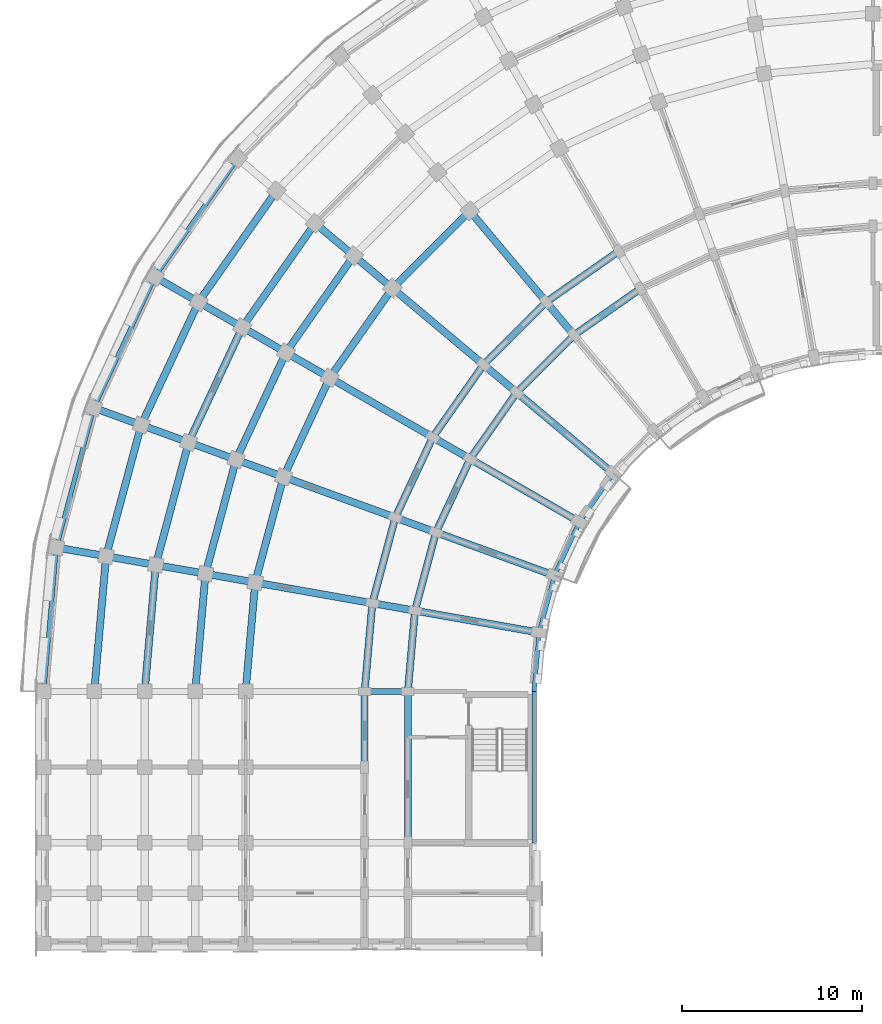
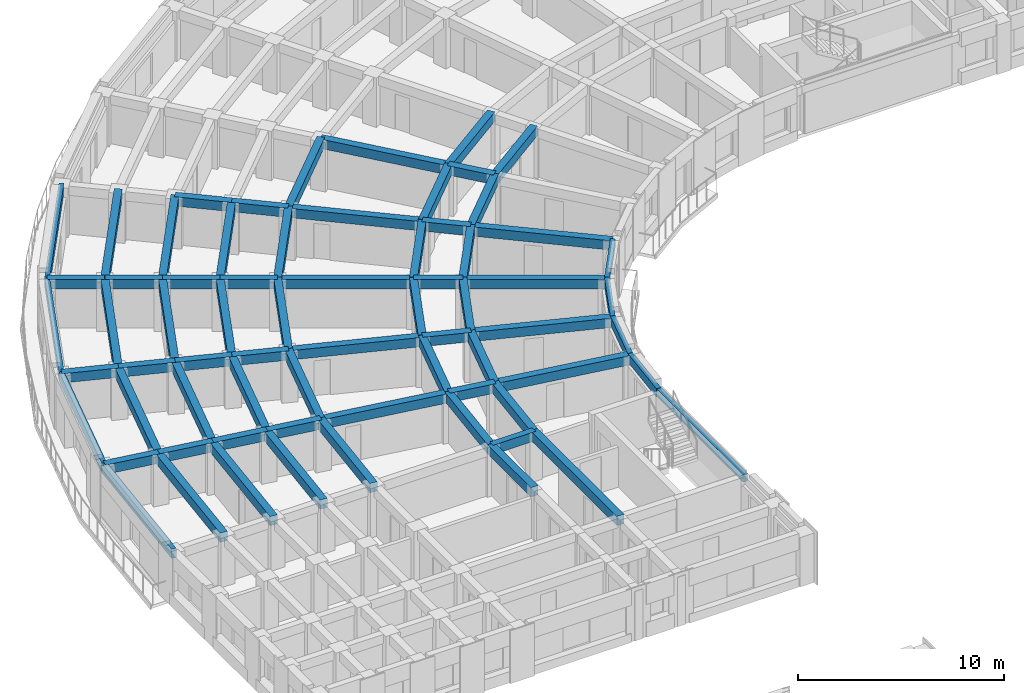
# One storey, part 7 of 54: 69 beams.
"""IFC4 building model written with IfcOpenShell, lengths in metres."""

from ifc_helpers import new_model, si_unit, direction, frame, origin, origin_2d, place, context, subcontext, project, spatial, rectangle, extrude, material, material_profile, profile_set, type_object, element, save


model = new_model("IFC4")

# Units and contexts
model_context = context("Model", 3, precision=1e-05, world=origin(), true_north=direction((0.0, 1.0)))
body_context = subcontext(model_context, "Body", "Model", "MODEL_VIEW")
ifc_project = project(units=[si_unit("LENGTHUNIT", "METRE"), si_unit("AREAUNIT", "SQUARE_METRE"), si_unit("VOLUMEUNIT", "CUBIC_METRE"), si_unit("PLANEANGLEUNIT", "RADIAN"), si_unit("MASSUNIT", "GRAM", prefix="KILO")], contexts=[model_context])

# Site, building, storey
site_placement = place(None, origin())
site = spatial("IfcSite", under=ifc_project, at=site_placement, CompositionType="ELEMENT")
building_placement = place(site_placement, origin())
building = spatial("IfcBuilding", under=site, at=building_placement, Name="Kiranvali Square Residences", CompositionType="ELEMENT")
storey_placement = place(building_placement, frame((0.0, 0.0, 11.85009765625)))
storey = spatial("IfcBuildingStorey", under=building, at=storey_placement, Name="L03", CompositionType="ELEMENT", Elevation=11.85009765625)

# Beams
ifc_material_1 = material(Name="Concrete M40 (40 MPa)", Category="concrete")
ifc_material_profile_1 = material_profile(ifc_material_1, rectangle(XDim=0.35009765625, YDim=0.550048828125, at=origin_2d()), Name="RC 350x550")
ifc_profile_set_1 = profile_set([ifc_material_profile_1], Name="Concrete M40 (40 MPa)")
beam_type_1 = type_object("IfcBeamType", Name="BM-M40-350x550", PredefinedType="BEAM", material=ifc_profile_set_1)
beam_1_placement = place(storey_placement, frame((22.39990234375, 87.800048828125, 2.65478515625), z_axis=(-1.0, 0.0, 0.0), x_axis=(0.0, -1.0, 0.0)))
element("IfcBeam", 1, at=beam_1_placement, inside=storey, type_object=beam_type_1, Name="L03 beam BM-A-L03-A2T0-12", PredefinedType="BEAM", context=body_context, shape_type="SweptSolid", body=[
    extrude(rectangle(XDim=0.35009765625, YDim=0.550048828125, at=origin_2d()), origin(), (0.0, 0.0, 1.0), 2.39990234375),
])
ifc_material_2 = material(Name="Concrete M45 (45 MPa)", Category="concrete")
ifc_material_profile_2 = material_profile(ifc_material_2, rectangle(XDim=0.39990234375, YDim=0.550048828125, at=origin_2d()), Name="RC 400x550")
ifc_profile_set_2 = profile_set([ifc_material_profile_2], Name="Concrete M45 (45 MPa)")
beam_type_2 = type_object("IfcBeamType", Name="BM-M45-400x550", PredefinedType="BEAM", material=ifc_profile_set_2)
beam_2_placement = place(storey_placement, frame((35.300048828125, 110.1435546875, 2.65478515625), z_axis=(-0.819155404658, -0.573571637217, 0.0), x_axis=(0.573571637217, -0.819155404658, 0.0)))
element("IfcBeam", 2, at=beam_2_placement, inside=storey, type_object=beam_type_2, Name="L03 beam BM-A-L03-C03-R1", PredefinedType="BEAM", context=body_context, shape_type="SweptSolid", body=[
    extrude(rectangle(XDim=0.39990234375, YDim=0.550048828125, at=origin_2d()), origin(), (0.0, 0.0, 1.0), 4.497314453125),
])
beam_3_placement = place(storey_placement, frame((34.10009765625, 112.221923828125, 2.65478515625), z_axis=(-0.819140911474, -0.573592335331, 0.0), x_axis=(0.573592335331, -0.819140911474, 0.0)))
element("IfcBeam", 3, at=beam_3_placement, inside=storey, type_object=beam_type_2, Name="L03 beam BM-A-L03-C03-R2", PredefinedType="BEAM", context=body_context, shape_type="SweptSolid", body=[
    extrude(rectangle(XDim=0.39990234375, YDim=0.550048828125, at=origin_2d()), origin(), (0.0, 0.0, 1.0), 4.915771484375),
])
beam_4_placement = place(storey_placement, frame((31.615966796875, 107.56396484375, 2.65478515625), z_axis=(-0.707106781187, -0.707106781187, 0.0), x_axis=(0.707106781187, -0.707106781187, 0.0)))
element("IfcBeam", 4, at=beam_4_placement, inside=storey, type_object=beam_type_2, Name="L03 beam BM-A-L03-C04-R1", PredefinedType="BEAM", context=body_context, shape_type="SweptSolid", body=[
    extrude(rectangle(XDim=0.39990234375, YDim=0.550048828125, at=origin_2d()), origin(), (0.0, 0.0, 1.0), 4.4970703125),
])
beam_5_placement = place(storey_placement, frame((30.073486328125, 109.40234375, 2.65478515625), z_axis=(-0.707106781187, -0.707106781187, 0.0), x_axis=(0.707106781187, -0.707106781187, 0.0)))
element("IfcBeam", 5, at=beam_5_placement, inside=storey, type_object=beam_type_2, Name="L03 beam BM-A-L03-C04-R2", PredefinedType="BEAM", context=body_context, shape_type="SweptSolid", body=[
    extrude(rectangle(XDim=0.39990234375, YDim=0.550048828125, at=origin_2d()), origin(), (0.0, 0.0, 1.0), 4.91552734375),
])
beam_6_placement = place(storey_placement, frame((25.8310546875, 114.458251953125, 2.65478515625), z_axis=(-0.707106781187, -0.707106781187, 0.0), x_axis=(0.707106781187, -0.707106781187, 0.0)))
element("IfcBeam", 6, at=beam_6_placement, inside=storey, type_object=beam_type_2, Name="L03 beam BM-A-L03-C04-R3", PredefinedType="BEAM", context=body_context, shape_type="SweptSolid", body=[
    extrude(rectangle(XDim=0.39990234375, YDim=0.550048828125, at=origin_2d()), origin(), (0.0, 0.0, 1.0), 6.06591796875),
])
beam_7_placement = place(storey_placement, frame((28.43603515625, 104.384033203125, 2.65478515625), z_axis=(-0.573571637217, -0.819155404658, 0.0), x_axis=(0.819155404658, -0.573571637217, 0.0)))
element("IfcBeam", 7, at=beam_7_placement, inside=storey, type_object=beam_type_2, Name="L03 beam BM-A-L03-C05-R1", PredefinedType="BEAM", context=body_context, shape_type="SweptSolid", body=[
    extrude(rectangle(XDim=0.39990234375, YDim=0.550048828125, at=origin_2d()), origin(), (0.0, 0.0, 1.0), 4.497314453125),
])
beam_8_placement = place(storey_placement, frame((26.59765625, 105.926513671875, 2.65478515625), z_axis=(-0.573592335331, -0.819140911474, 0.0), x_axis=(0.819140911474, -0.573592335331, 0.0)))
element("IfcBeam", 8, at=beam_8_placement, inside=storey, type_object=beam_type_2, Name="L03 beam BM-A-L03-C05-R2", PredefinedType="BEAM", context=body_context, shape_type="SweptSolid", body=[
    extrude(rectangle(XDim=0.39990234375, YDim=0.550048828125, at=origin_2d()), origin(), (0.0, 0.0, 1.0), 4.915771484375),
])
beam_9_placement = place(storey_placement, frame((21.541748046875, 110.1689453125, 2.65478515625), z_axis=(-0.573594691504, -0.81913926159, 0.0), x_axis=(0.81913926159, -0.573594691504, 0.0)))
element("IfcBeam", 9, at=beam_9_placement, inside=storey, type_object=beam_type_2, Name="L03 beam BM-A-L03-C05-R3", PredefinedType="BEAM", context=body_context, shape_type="SweptSolid", body=[
    extrude(rectangle(XDim=0.39990234375, YDim=0.550048828125, at=origin_2d()), origin(), (0.0, 0.0, 1.0), 6.066162109375),
])
beam_10_placement = place(storey_placement, frame((19.396728515625, 111.96875, 2.65478515625), z_axis=(-0.573587340268, -0.819144409176, 0.0), x_axis=(0.819144409176, -0.573587340268, 0.0)))
element("IfcBeam", 10, at=beam_10_placement, inside=storey, type_object=beam_type_2, Name="L03 beam BM-A-L03-C05-R4", PredefinedType="BEAM", context=body_context, shape_type="SweptSolid", body=[
    extrude(rectangle(XDim=0.39990234375, YDim=0.550048828125, at=origin_2d()), origin(), (0.0, 0.0, 1.0), 6.553955078125),
])
beam_11_placement = place(storey_placement, frame((17.251708984375, 113.7685546875, 2.65478515625), z_axis=(-0.57356471828, -0.819160249246, 0.0), x_axis=(0.819160249246, -0.57356471828, 0.0)))
element("IfcBeam", 11, at=beam_11_placement, inside=storey, type_object=beam_type_2, Name="L03 beam BM-A-L03-C05-R5", PredefinedType="BEAM", context=body_context, shape_type="SweptSolid", body=[
    extrude(rectangle(XDim=0.39990234375, YDim=0.550048828125, at=origin_2d()), origin(), (0.0, 0.0, 1.0), 7.0419921875),
])
beam_12_placement = place(storey_placement, frame((15.10693359375, 115.568359375, 2.65478515625), z_axis=(-0.573588539275, -0.819143569597, 0.0), x_axis=(0.819143569597, -0.573588539275, 0.0)))
element("IfcBeam", 12, at=beam_12_placement, inside=storey, type_object=beam_type_2, Name="L03 beam BM-A-L03-C05-R6", PredefinedType="BEAM", context=body_context, shape_type="SweptSolid", body=[
    extrude(rectangle(XDim=0.39990234375, YDim=0.550048828125, at=origin_2d()), origin(), (0.0, 0.0, 1.0), 7.5302734375),
])
beam_13_placement = place(storey_placement, frame((25.8564453125, 100.699951171875, 2.65478515625), z_axis=(-0.422617978463, -0.906307919131, 0.0), x_axis=(0.906307919131, -0.422617978463, 0.0)))
element("IfcBeam", 13, at=beam_13_placement, inside=storey, type_object=beam_type_2, Name="L03 beam BM-A-L03-C06-R1", PredefinedType="BEAM", context=body_context, shape_type="SweptSolid", body=[
    extrude(rectangle(XDim=0.39990234375, YDim=0.550048828125, at=origin_2d()), origin(), (0.0, 0.0, 1.0), 4.497314453125),
])
beam_14_placement = place(storey_placement, frame((23.778076171875, 101.89990234375, 2.65478515625), z_axis=(-0.422629854778, -0.906302381024, 0.0), x_axis=(0.906302381024, -0.422629854778, 0.0)))
element("IfcBeam", 14, at=beam_14_placement, inside=storey, type_object=beam_type_2, Name="L03 beam BM-A-L03-C06-R2", PredefinedType="BEAM", context=body_context, shape_type="SweptSolid", body=[
    extrude(rectangle(XDim=0.39990234375, YDim=0.550048828125, at=origin_2d()), origin(), (0.0, 0.0, 1.0), 4.915283203125),
])
beam_15_placement = place(storey_placement, frame((18.062255859375, 105.199951171875, 2.65478515625), z_axis=(-0.42260781991, -0.906312656069, 0.0), x_axis=(0.906312656069, -0.42260781991, 0.0)))
element("IfcBeam", 15, at=beam_15_placement, inside=storey, type_object=beam_type_2, Name="L03 beam BM-A-L03-C06-R3", PredefinedType="BEAM", context=body_context, shape_type="SweptSolid", body=[
    extrude(rectangle(XDim=0.39990234375, YDim=0.550048828125, at=origin_2d()), origin(), (0.0, 0.0, 1.0), 6.06591796875),
])
beam_16_placement = place(storey_placement, frame((15.637451171875, 106.60009765625, 2.65478515625), z_axis=(-0.422595876255, -0.906318225223, 0.0), x_axis=(0.906318225223, -0.422595876255, 0.0)))
element("IfcBeam", 16, at=beam_16_placement, inside=storey, type_object=beam_type_2, Name="L03 beam BM-A-L03-C06-R4", PredefinedType="BEAM", context=body_context, shape_type="SweptSolid", body=[
    extrude(rectangle(XDim=0.39990234375, YDim=0.550048828125, at=origin_2d()), origin(), (0.0, 0.0, 1.0), 6.55419921875),
])
beam_17_placement = place(storey_placement, frame((13.212646484375, 108.0, 2.65478515625), z_axis=(-0.422640621205, -0.906297360311, 0.0), x_axis=(0.906297360311, -0.422640621205, 0.0)))
element("IfcBeam", 17, at=beam_17_placement, inside=storey, type_object=beam_type_2, Name="L03 beam BM-A-L03-C06-R5", PredefinedType="BEAM", context=body_context, shape_type="SweptSolid", body=[
    extrude(rectangle(XDim=0.39990234375, YDim=0.550048828125, at=origin_2d()), origin(), (0.0, 0.0, 1.0), 7.042236328125),
])
beam_18_placement = place(storey_placement, frame((10.78759765625, 109.39990234375, 2.65478515625), z_axis=(-0.422613886933, -0.90630982703, 0.0), x_axis=(0.90630982703, -0.422613886933, 0.0)))
element("IfcBeam", 18, at=beam_18_placement, inside=storey, type_object=beam_type_2, Name="L03 beam BM-A-L03-C06-R6", PredefinedType="BEAM", context=body_context, shape_type="SweptSolid", body=[
    extrude(rectangle(XDim=0.39990234375, YDim=0.550048828125, at=origin_2d()), origin(), (0.0, 0.0, 1.0), 7.5302734375),
])
beam_19_placement = place(storey_placement, frame((23.955810546875, 96.6240234375, 2.65478515625), z_axis=(-0.258787642463, -0.965934240054, 0.0), x_axis=(0.965934240054, -0.258787642463, 0.0)))
element("IfcBeam", 19, at=beam_19_placement, inside=storey, type_object=beam_type_2, Name="L03 beam BM-A-L03-C07-R1", PredefinedType="BEAM", context=body_context, shape_type="SweptSolid", body=[
    extrude(rectangle(XDim=0.39990234375, YDim=0.550048828125, at=origin_2d()), origin(), (0.0, 0.0, 1.0), 4.497314453125),
])
beam_20_placement = place(storey_placement, frame((21.70068359375, 97.445068359375, 2.65478515625), z_axis=(-0.258803112091, -0.965930095386, 0.0), x_axis=(0.965930095386, -0.258803112091, 0.0)))
element("IfcBeam", 20, at=beam_20_placement, inside=storey, type_object=beam_type_2, Name="L03 beam BM-A-L03-C07-R2", PredefinedType="BEAM", context=body_context, shape_type="SweptSolid", body=[
    extrude(rectangle(XDim=0.39990234375, YDim=0.550048828125, at=origin_2d()), origin(), (0.0, 0.0, 1.0), 4.915771484375),
])
beam_21_placement = place(storey_placement, frame((15.498779296875, 99.702392578125, 2.65478515625), z_axis=(-0.258827283048, -0.965923618901, 0.0), x_axis=(0.965923618901, -0.258827283048, 0.0)))
element("IfcBeam", 21, at=beam_21_placement, inside=storey, type_object=beam_type_2, Name="L03 beam BM-A-L03-C07-R3", PredefinedType="BEAM", context=body_context, shape_type="SweptSolid", body=[
    extrude(rectangle(XDim=0.39990234375, YDim=0.550048828125, at=origin_2d()), origin(), (0.0, 0.0, 1.0), 6.066162109375),
])
beam_22_placement = place(storey_placement, frame((12.86767578125, 100.659912109375, 2.65478515625), z_axis=(-0.258847178297, -0.965918287583, 0.0), x_axis=(0.965918287583, -0.258847178297, 0.0)))
element("IfcBeam", 22, at=beam_22_placement, inside=storey, type_object=beam_type_2, Name="L03 beam BM-A-L03-C07-R4", PredefinedType="BEAM", context=body_context, shape_type="SweptSolid", body=[
    extrude(rectangle(XDim=0.39990234375, YDim=0.550048828125, at=origin_2d()), origin(), (0.0, 0.0, 1.0), 6.55419921875),
])
beam_23_placement = place(storey_placement, frame((10.236328125, 101.61767578125, 2.65478515625), z_axis=(-0.258799624492, -0.965931029817, 0.0), x_axis=(0.965931029817, -0.258799624492, 0.0)))
element("IfcBeam", 23, at=beam_23_placement, inside=storey, type_object=beam_type_2, Name="L03 beam BM-A-L03-C07-R5", PredefinedType="BEAM", context=body_context, shape_type="SweptSolid", body=[
    extrude(rectangle(XDim=0.39990234375, YDim=0.550048828125, at=origin_2d()), origin(), (0.0, 0.0, 1.0), 7.042236328125),
])
beam_24_placement = place(storey_placement, frame((7.605224609375, 102.5751953125, 2.65478515625), z_axis=(-0.258818733833, -0.965925909693, 0.0), x_axis=(0.965925909693, -0.258818733833, 0.0)))
element("IfcBeam", 24, at=beam_24_placement, inside=storey, type_object=beam_type_2, Name="L03 beam BM-A-L03-C07-R6", PredefinedType="BEAM", context=body_context, shape_type="SweptSolid", body=[
    extrude(rectangle(XDim=0.39990234375, YDim=0.550048828125, at=origin_2d()), origin(), (0.0, 0.0, 1.0), 7.5302734375),
])
beam_25_placement = place(storey_placement, frame((22.7919921875, 92.280029296875, 2.65478515625), z_axis=(-0.087187153726, -0.996191949488, 0.0), x_axis=(0.996191949488, -0.087187153726, 0.0)))
element("IfcBeam", 25, at=beam_25_placement, inside=storey, type_object=beam_type_2, Name="L03 beam BM-A-L03-C08-R1", PredefinedType="BEAM", context=body_context, shape_type="SweptSolid", body=[
    extrude(rectangle(XDim=0.39990234375, YDim=0.550048828125, at=origin_2d()), origin(), (0.0, 0.0, 1.0), 4.4970703125),
])
beam_26_placement = place(storey_placement, frame((20.428466796875, 92.69677734375, 2.65478515625), z_axis=(-0.087167566415, -0.996193663584, 0.0), x_axis=(0.996193663584, -0.087167566415, 0.0)))
element("IfcBeam", 26, at=beam_26_placement, inside=storey, type_object=beam_type_2, Name="L03 beam BM-A-L03-C08-R2", PredefinedType="BEAM", context=body_context, shape_type="SweptSolid", body=[
    extrude(rectangle(XDim=0.39990234375, YDim=0.550048828125, at=origin_2d()), origin(), (0.0, 0.0, 1.0), 4.91552734375),
])
beam_27_placement = place(storey_placement, frame((13.9287109375, 93.843017578125, 2.65478515625), z_axis=(-0.087174938512, -0.996193018494, 0.0), x_axis=(0.996193018494, -0.087174938512, 0.0)))
element("IfcBeam", 27, at=beam_27_placement, inside=storey, type_object=beam_type_2, Name="L03 beam BM-A-L03-C08-R3", PredefinedType="BEAM", context=body_context, shape_type="SweptSolid", body=[
    extrude(rectangle(XDim=0.39990234375, YDim=0.550048828125, at=origin_2d()), origin(), (0.0, 0.0, 1.0), 6.066162109375),
])
beam_28_placement = place(storey_placement, frame((11.171142578125, 94.3291015625, 2.65478515625), z_axis=(-0.0871295204, -0.996196991902, 0.0), x_axis=(0.996196991902, -0.0871295204, 0.0)))
element("IfcBeam", 28, at=beam_28_placement, inside=storey, type_object=beam_type_2, Name="L03 beam BM-A-L03-C08-R4", PredefinedType="BEAM", context=body_context, shape_type="SweptSolid", body=[
    extrude(rectangle(XDim=0.39990234375, YDim=0.550048828125, at=origin_2d()), origin(), (0.0, 0.0, 1.0), 6.553955078125),
])
beam_29_placement = place(storey_placement, frame((8.413818359375, 94.8154296875, 2.65478515625), z_axis=(-0.087156198737, -0.996194658198, 0.0), x_axis=(0.996194658198, -0.087156198737, 0.0)))
element("IfcBeam", 29, at=beam_29_placement, inside=storey, type_object=beam_type_2, Name="L03 beam BM-A-L03-C08-R5", PredefinedType="BEAM", context=body_context, shape_type="SweptSolid", body=[
    extrude(rectangle(XDim=0.39990234375, YDim=0.550048828125, at=origin_2d()), origin(), (0.0, 0.0, 1.0), 7.042236328125),
])
beam_30_placement = place(storey_placement, frame((5.65625, 95.301513671875, 2.65478515625), z_axis=(-0.087150058103, -0.996195195417, 0.0), x_axis=(0.996195195417, -0.087150058103, 0.0)))
element("IfcBeam", 30, at=beam_30_placement, inside=storey, type_object=beam_type_2, Name="L03 beam BM-A-L03-C08-R6", PredefinedType="BEAM", context=body_context, shape_type="SweptSolid", body=[
    extrude(rectangle(XDim=0.39990234375, YDim=0.550048828125, at=origin_2d()), origin(), (0.0, 0.0, 1.0), 7.530029296875),
])
beam_31_placement = place(storey_placement, frame((31.615966796875, 107.56396484375, 2.65478515625), z_axis=(-0.642762521781, 0.766065493671, 0.0), x_axis=(-0.766065493671, -0.642762521781, 0.0)))
element("IfcBeam", 31, at=beam_31_placement, inside=storey, type_object=beam_type_2, Name="L03 beam BM-A-L03-RAD04-12", PredefinedType="BEAM", context=body_context, shape_type="SweptSolid", body=[
    extrude(rectangle(XDim=0.39990234375, YDim=0.550048828125, at=origin_2d()), origin(), (0.0, 0.0, 1.0), 2.399658203125),
])
beam_32_placement = place(storey_placement, frame((30.073486328125, 109.40234375, 2.65478515625), z_axis=(-0.642789470807, 0.766042881449, 0.0), x_axis=(-0.766042881449, -0.642789470807, 0.0)))
element("IfcBeam", 32, at=beam_32_placement, inside=storey, type_object=beam_type_2, Name="L03 beam BM-A-L03-RAD04-23", PredefinedType="BEAM", context=body_context, shape_type="SweptSolid", body=[
    extrude(rectangle(XDim=0.39990234375, YDim=0.550048828125, at=origin_2d()), origin(), (0.0, 0.0, 1.0), 6.60009765625),
])
beam_33_placement = place(storey_placement, frame((33.79833984375, 99.884521484375, 2.65478515625), z_axis=(-0.766044173478, 0.642787931032, 0.0), x_axis=(-0.642787931032, -0.766044173478, 0.0)))
element("IfcBeam", 33, at=beam_33_placement, inside=storey, type_object=beam_type_2, Name="L03 beam BM-A-L03-RAD05-01", PredefinedType="BEAM", context=body_context, shape_type="SweptSolid", body=[
    extrude(rectangle(XDim=0.39990234375, YDim=0.550048828125, at=origin_2d()), origin(), (0.0, 0.0, 1.0), 7.0),
])
beam_34_placement = place(storey_placement, frame((28.43603515625, 104.384033203125, 2.65478515625), z_axis=(-0.766065493671, 0.642762521781, 0.0), x_axis=(-0.642762521781, -0.766065493671, 0.0)))
element("IfcBeam", 34, at=beam_34_placement, inside=storey, type_object=beam_type_2, Name="L03 beam BM-A-L03-RAD05-12", PredefinedType="BEAM", context=body_context, shape_type="SweptSolid", body=[
    extrude(rectangle(XDim=0.39990234375, YDim=0.550048828125, at=origin_2d()), origin(), (0.0, 0.0, 1.0), 2.399658203125),
])
beam_35_placement = place(storey_placement, frame((26.59765625, 105.926513671875, 2.65478515625), z_axis=(-0.766042881449, 0.642789470807, 0.0), x_axis=(-0.642789470807, -0.766042881449, 0.0)))
element("IfcBeam", 35, at=beam_35_placement, inside=storey, type_object=beam_type_2, Name="L03 beam BM-A-L03-RAD05-23", PredefinedType="BEAM", context=body_context, shape_type="SweptSolid", body=[
    extrude(rectangle(XDim=0.39990234375, YDim=0.550048828125, at=origin_2d()), origin(), (0.0, 0.0, 1.0), 6.60009765625),
])
for number, where, z_axis, x_axis, name in (
    (36, (21.541748046875, 110.1689453125, 2.65478515625), (-0.766058583359, 0.642770757628, 0.0), (-0.642770757628, -0.766058583359, 0.0), "L03 beam BM-A-L03-RAD05-34"),
    (37, (19.396728515625, 111.96875, 2.65478515625), (-0.766058583359, 0.642770757628, 0.0), (-0.642770757628, -0.766058583359, 0.0), "L03 beam BM-A-L03-RAD05-45"),
):
    element("IfcBeam", number, at=place(storey_placement, frame(where, z_axis=z_axis, x_axis=x_axis)), inside=storey, type_object=beam_type_2, Name=name, PredefinedType="BEAM", context=body_context, shape_type="SweptSolid", body=[
        extrude(rectangle(XDim=0.39990234375, YDim=0.550048828125, at=origin_2d()), origin(), (0.0, 0.0, 1.0), 2.800048828125),
    ])
beam_36_placement = place(storey_placement, frame((31.918701171875, 97.199951171875, 2.65478515625), z_axis=(-0.866028190633, 0.499995173006, 0.0), x_axis=(-0.499995173006, -0.866028190633, 0.0)))
element("IfcBeam", 38, at=beam_36_placement, inside=storey, type_object=beam_type_2, Name="L03 beam BM-A-L03-RAD06-01", PredefinedType="BEAM", context=body_context, shape_type="SweptSolid", body=[
    extrude(rectangle(XDim=0.39990234375, YDim=0.550048828125, at=origin_2d()), origin(), (0.0, 0.0, 1.0), 7.0),
])
beam_37_placement = place(storey_placement, frame((25.8564453125, 100.699951171875, 2.65478515625), z_axis=(-0.866024647952, 0.500001309137, 0.0), x_axis=(-0.500001309137, -0.866024647952, 0.0)))
element("IfcBeam", 39, at=beam_37_placement, inside=storey, type_object=beam_type_2, Name="L03 beam BM-A-L03-RAD06-12", PredefinedType="BEAM", context=body_context, shape_type="SweptSolid", body=[
    extrude(rectangle(XDim=0.39990234375, YDim=0.550048828125, at=origin_2d()), origin(), (0.0, 0.0, 1.0), 2.39990234375),
])
beam_38_placement = place(storey_placement, frame((23.778076171875, 101.89990234375, 2.65478515625), z_axis=(-0.866024194504, 0.500002094529, 0.0), x_axis=(-0.500002094529, -0.866024194504, 0.0)))
element("IfcBeam", 40, at=beam_38_placement, inside=storey, type_object=beam_type_2, Name="L03 beam BM-A-L03-RAD06-23", PredefinedType="BEAM", context=body_context, shape_type="SweptSolid", body=[
    extrude(rectangle(XDim=0.39990234375, YDim=0.550048828125, at=origin_2d()), origin(), (0.0, 0.0, 1.0), 6.60009765625),
])
beam_39_placement = place(storey_placement, frame((18.062255859375, 105.199951171875, 2.65478515625), z_axis=(-0.865996816683, 0.500049511043, 0.0), x_axis=(-0.500049511043, -0.865996816683, 0.0)))
element("IfcBeam", 41, at=beam_39_placement, inside=storey, type_object=beam_type_2, Name="L03 beam BM-A-L03-RAD06-34", PredefinedType="BEAM", context=body_context, shape_type="SweptSolid", body=[
    extrude(rectangle(XDim=0.39990234375, YDim=0.550048828125, at=origin_2d()), origin(), (0.0, 0.0, 1.0), 2.800048828125),
])
beam_40_placement = place(storey_placement, frame((15.637451171875, 106.60009765625, 2.65478515625), z_axis=(-0.866034573852, 0.49998411664, 0.0), x_axis=(-0.49998411664, -0.866034573852, 0.0)))
element("IfcBeam", 42, at=beam_40_placement, inside=storey, type_object=beam_type_2, Name="L03 beam BM-A-L03-RAD06-45", PredefinedType="BEAM", context=body_context, shape_type="SweptSolid", body=[
    extrude(rectangle(XDim=0.39990234375, YDim=0.550048828125, at=origin_2d()), origin(), (0.0, 0.0, 1.0), 2.7998046875),
])
for number, where, z_axis, x_axis, name in (
    (43, (13.212646484375, 108.0, 2.65478515625), (-0.866056369097, 0.49994636267, 0.0), (-0.49994636267, -0.866056369097, 0.0), "L03 beam BM-A-L03-RAD06-56"),
    (44, (10.78759765625, 109.39990234375, 2.65478515625), (-0.865996816683, 0.500049511043, 0.0), (-0.500049511043, -0.865996816683, 0.0), "L03 beam BM-A-L03-RAD06-67"),
):
    element("IfcBeam", number, at=place(storey_placement, frame(where, z_axis=z_axis, x_axis=x_axis)), inside=storey, type_object=beam_type_2, Name=name, PredefinedType="BEAM", context=body_context, shape_type="SweptSolid", body=[
        extrude(rectangle(XDim=0.39990234375, YDim=0.550048828125, at=origin_2d()), origin(), (0.0, 0.0, 1.0), 2.800048828125),
    ])
beam_41_placement = place(storey_placement, frame((30.53369140625, 94.22998046875, 2.65478515625), z_axis=(-0.939697665127, 0.342006283793, 0.0), x_axis=(-0.342006283793, -0.939697665127, 0.0)))
element("IfcBeam", 45, at=beam_41_placement, inside=storey, type_object=beam_type_2, Name="L03 beam BM-A-L03-RAD07-01", PredefinedType="BEAM", context=body_context, shape_type="SweptSolid", body=[
    extrude(rectangle(XDim=0.39990234375, YDim=0.550048828125, at=origin_2d()), origin(), (0.0, 0.0, 1.0), 7.0),
])
beam_42_placement = place(storey_placement, frame((23.955810546875, 96.6240234375, 2.65478515625), z_axis=(-0.939659694648, 0.342110593602, 0.0), x_axis=(-0.342110593602, -0.939659694648, 0.0)))
element("IfcBeam", 46, at=beam_42_placement, inside=storey, type_object=beam_type_2, Name="L03 beam BM-A-L03-RAD07-12", PredefinedType="BEAM", context=body_context, shape_type="SweptSolid", body=[
    extrude(rectangle(XDim=0.39990234375, YDim=0.550048828125, at=origin_2d()), origin(), (0.0, 0.0, 1.0), 2.39990234375),
])
beam_43_placement = place(storey_placement, frame((21.70068359375, 97.445068359375, 2.65478515625), z_axis=(-0.939691858249, 0.342022238372, 0.0), x_axis=(-0.342022238372, -0.939691858249, 0.0)))
element("IfcBeam", 47, at=beam_43_placement, inside=storey, type_object=beam_type_2, Name="L03 beam BM-A-L03-RAD07-23", PredefinedType="BEAM", context=body_context, shape_type="SweptSolid", body=[
    extrude(rectangle(XDim=0.39990234375, YDim=0.550048828125, at=origin_2d()), origin(), (0.0, 0.0, 1.0), 6.599853515625),
])
beam_44_placement = place(storey_placement, frame((15.498779296875, 99.702392578125, 2.65478515625), z_axis=(-0.93970683422, 0.341981089711, 0.0), x_axis=(-0.341981089711, -0.93970683422, 0.0)))
element("IfcBeam", 48, at=beam_44_placement, inside=storey, type_object=beam_type_2, Name="L03 beam BM-A-L03-RAD07-34", PredefinedType="BEAM", context=body_context, shape_type="SweptSolid", body=[
    extrude(rectangle(XDim=0.39990234375, YDim=0.550048828125, at=origin_2d()), origin(), (0.0, 0.0, 1.0), 2.7998046875),
])
beam_45_placement = place(storey_placement, frame((12.86767578125, 100.659912109375, 2.65478515625), z_axis=(-0.939689011208, 0.342030060398, 0.0), x_axis=(-0.342030060398, -0.939689011208, 0.0)))
element("IfcBeam", 49, at=beam_45_placement, inside=storey, type_object=beam_type_2, Name="L03 beam BM-A-L03-RAD07-45", PredefinedType="BEAM", context=body_context, shape_type="SweptSolid", body=[
    extrude(rectangle(XDim=0.39990234375, YDim=0.550048828125, at=origin_2d()), origin(), (0.0, 0.0, 1.0), 2.80029296875),
])
beam_46_placement = place(storey_placement, frame((10.236328125, 101.61767578125, 2.65478515625), z_axis=(-0.93970683422, 0.341981089711, 0.0), x_axis=(-0.341981089711, -0.93970683422, 0.0)))
element("IfcBeam", 50, at=beam_46_placement, inside=storey, type_object=beam_type_2, Name="L03 beam BM-A-L03-RAD07-56", PredefinedType="BEAM", context=body_context, shape_type="SweptSolid", body=[
    extrude(rectangle(XDim=0.39990234375, YDim=0.550048828125, at=origin_2d()), origin(), (0.0, 0.0, 1.0), 2.7998046875),
])
beam_47_placement = place(storey_placement, frame((7.605224609375, 102.5751953125, 2.65478515625), z_axis=(-0.939678810556, 0.342058084236, 0.0), x_axis=(-0.342058084236, -0.939678810556, 0.0)))
element("IfcBeam", 51, at=beam_47_placement, inside=storey, type_object=beam_type_2, Name="L03 beam BM-A-L03-RAD07-67", PredefinedType="BEAM", context=body_context, shape_type="SweptSolid", body=[
    extrude(rectangle(XDim=0.39990234375, YDim=0.550048828125, at=origin_2d()), origin(), (0.0, 0.0, 1.0), 2.800048828125),
])
beam_48_placement = place(storey_placement, frame((29.685546875, 91.064697265625, 2.65478515625), z_axis=(-0.984812337125, 0.173622177865, 0.0), x_axis=(-0.173622177865, -0.984812337125, 0.0)))
element("IfcBeam", 52, at=beam_48_placement, inside=storey, type_object=beam_type_2, Name="L03 beam BM-A-L03-RAD08-01", PredefinedType="BEAM", context=body_context, shape_type="SweptSolid", body=[
    extrude(rectangle(XDim=0.39990234375, YDim=0.550048828125, at=origin_2d()), origin(), (0.0, 0.0, 1.0), 6.999755859375),
])
beam_49_placement = place(storey_placement, frame((22.7919921875, 92.280029296875, 2.65478515625), z_axis=(-0.984808127031, 0.173646056486, 0.0), x_axis=(-0.173646056486, -0.984808127031, 0.0)))
element("IfcBeam", 53, at=beam_49_placement, inside=storey, type_object=beam_type_2, Name="L03 beam BM-A-L03-RAD08-12", PredefinedType="BEAM", context=body_context, shape_type="SweptSolid", body=[
    extrude(rectangle(XDim=0.39990234375, YDim=0.550048828125, at=origin_2d()), origin(), (0.0, 0.0, 1.0), 2.39990234375),
])
beam_50_placement = place(storey_placement, frame((20.428466796875, 92.69677734375, 2.65478515625), z_axis=(-0.984803661269, 0.173671381499, 0.0), x_axis=(-0.173671381499, -0.984803661269, 0.0)))
element("IfcBeam", 54, at=beam_50_placement, inside=storey, type_object=beam_type_2, Name="L03 beam BM-A-L03-RAD08-23", PredefinedType="BEAM", context=body_context, shape_type="SweptSolid", body=[
    extrude(rectangle(XDim=0.39990234375, YDim=0.550048828125, at=origin_2d()), origin(), (0.0, 0.0, 1.0), 6.60009765625),
])
beam_51_placement = place(storey_placement, frame((13.9287109375, 93.843017578125, 2.65478515625), z_axis=(-0.984816895441, 0.173596320392, 0.0), x_axis=(-0.173596320392, -0.984816895441, 0.0)))
element("IfcBeam", 55, at=beam_51_placement, inside=storey, type_object=beam_type_2, Name="L03 beam BM-A-L03-RAD08-34", PredefinedType="BEAM", context=body_context, shape_type="SweptSolid", body=[
    extrude(rectangle(XDim=0.39990234375, YDim=0.550048828125, at=origin_2d()), origin(), (0.0, 0.0, 1.0), 2.800048828125),
])
beam_52_placement = place(storey_placement, frame((11.171142578125, 94.3291015625, 2.65478515625), z_axis=(-0.984799355489, 0.173695795656, 0.0), x_axis=(-0.173695795656, -0.984799355489, 0.0)))
element("IfcBeam", 56, at=beam_52_placement, inside=storey, type_object=beam_type_2, Name="L03 beam BM-A-L03-RAD08-45", PredefinedType="BEAM", context=body_context, shape_type="SweptSolid", body=[
    extrude(rectangle(XDim=0.39990234375, YDim=0.550048828125, at=origin_2d()), origin(), (0.0, 0.0, 1.0), 2.7998046875),
])
beam_53_placement = place(storey_placement, frame((8.413818359375, 94.8154296875, 2.65478515625), z_axis=(-0.984816895441, 0.173596320392, 0.0), x_axis=(-0.173596320392, -0.984816895441, 0.0)))
element("IfcBeam", 57, at=beam_53_placement, inside=storey, type_object=beam_type_2, Name="L03 beam BM-A-L03-RAD08-56", PredefinedType="BEAM", context=body_context, shape_type="SweptSolid", body=[
    extrude(rectangle(XDim=0.39990234375, YDim=0.550048828125, at=origin_2d()), origin(), (0.0, 0.0, 1.0), 2.800048828125),
])
beam_54_placement = place(storey_placement, frame((5.65625, 95.301513671875, 2.65478515625), z_axis=(-0.984799355489, 0.173695795656, 0.0), x_axis=(-0.173695795656, -0.984799355489, 0.0)))
element("IfcBeam", 58, at=beam_54_placement, inside=storey, type_object=beam_type_2, Name="L03 beam BM-A-L03-RAD08-67", PredefinedType="BEAM", context=body_context, shape_type="SweptSolid", body=[
    extrude(rectangle(XDim=0.39990234375, YDim=0.550048828125, at=origin_2d()), origin(), (0.0, 0.0, 1.0), 2.7998046875),
])
beam_55_placement = place(storey_placement, frame((22.39990234375, 87.800048828125, 2.65478515625), z_axis=(0.0, -1.0, 0.0), x_axis=(1.0, 0.0, 0.0)))
element("IfcBeam", 59, at=beam_55_placement, inside=storey, type_object=beam_type_2, Name="L03 beam BM-A-L03-A2V0-R1", PredefinedType="BEAM", context=body_context, shape_type="SweptSolid", body=[
    extrude(rectangle(XDim=0.39990234375, YDim=0.550048828125, at=origin_2d()), origin(), (0.0, 0.0, 1.0), 8.400146484375),
])
beam_56_placement = place(storey_placement, frame((20.0, 87.800048828125, 2.65478515625), z_axis=(0.0, -1.0, 0.0), x_axis=(1.0, 0.0, 0.0)))
element("IfcBeam", 60, at=beam_56_placement, inside=storey, type_object=beam_type_2, Name="L03 beam BM-A-L03-A2V0-R2", PredefinedType="BEAM", context=body_context, shape_type="SweptSolid", body=[
    extrude(rectangle(XDim=0.39990234375, YDim=0.550048828125, at=origin_2d()), origin(), (0.0, 0.0, 1.0), 4.199951171875),
])
ifc_material_profile_3 = material_profile(ifc_material_1, rectangle(XDim=0.25, YDim=0.449951171875, at=origin_2d()), Name="RC 250x450")
ifc_profile_set_3 = profile_set([ifc_material_profile_3], Name="Concrete M40 (40 MPa)")
beam_type_3 = type_object("IfcBeamType", Name="SPN-M40-250x450", PredefinedType="SPANDREL", material=ifc_profile_set_3)
beam_57_placement = place(storey_placement, frame((29.39990234375, 87.800048828125, 2.704833984375), z_axis=(0.0, -1.0, 0.0), x_axis=(1.0, 0.0, 0.0)))
element("IfcBeam", 61, at=beam_57_placement, inside=storey, type_object=beam_type_3, Name="L03 beam BM-A-L03-A2V0-R0", PredefinedType="SPANDREL", context=body_context, shape_type="SweptSolid", body=[
    extrude(rectangle(XDim=0.25, YDim=0.449951171875, at=origin_2d()), origin(), (0.0, 0.0, 1.0), 8.400146484375),
])
ifc_material_profile_4 = material_profile(ifc_material_1, rectangle(XDim=0.25, YDim=0.5, at=origin_2d()), Name="RC 250x500")
ifc_profile_set_4 = profile_set([ifc_material_profile_4], Name="Concrete M40 (40 MPa)")
beam_type_4 = type_object("IfcBeamType", Name="SPN-M40-250x500", PredefinedType="SPANDREL", material=ifc_profile_set_4)
for number, where, z_axis, x_axis, name in (
    (62, (33.79833984375, 99.884521484375, 2.679931640625), (-0.573552337269, -0.81916891812, 0.0), (0.81916891812, -0.573552337269, 0.0), "L03 beam BM-A-L03-C05-R0"),
    (63, (31.918701171875, 97.199951171875, 2.679931640625), (-0.422640740585, -0.90629730464, 0.0), (0.90629730464, -0.422640740585, 0.0), "L03 beam BM-A-L03-C06-R0"),
):
    element("IfcBeam", number, at=place(storey_placement, frame(where, z_axis=z_axis, x_axis=x_axis)), inside=storey, type_object=beam_type_4, Name=name, PredefinedType="SPANDREL", context=body_context, shape_type="SweptSolid", body=[
        extrude(rectangle(XDim=0.25, YDim=0.5, at=origin_2d()), origin(), (0.0, 0.0, 1.0), 3.277099609375),
    ])
beam_58_placement = place(storey_placement, frame((30.53369140625, 94.22998046875, 2.679931640625), z_axis=(-0.258821736607, -0.965925105099, 0.0), x_axis=(0.965925105099, -0.258821736607, 0.0)))
element("IfcBeam", 64, at=beam_58_placement, inside=storey, type_object=beam_type_4, Name="L03 beam BM-A-L03-C07-R0", PredefinedType="SPANDREL", context=body_context, shape_type="SweptSolid", body=[
    extrude(rectangle(XDim=0.25, YDim=0.5, at=origin_2d()), origin(), (0.0, 0.0, 1.0), 3.27685546875),
])
beam_59_placement = place(storey_placement, frame((29.685546875, 91.064697265625, 2.679931640625), z_axis=(-0.087163253657, -0.996194040944, 0.0), x_axis=(0.996194040944, -0.087163253657, 0.0)))
element("IfcBeam", 65, at=beam_59_placement, inside=storey, type_object=beam_type_4, Name="L03 beam BM-A-L03-C08-R0", PredefinedType="SPANDREL", context=body_context, shape_type="SweptSolid", body=[
    extrude(rectangle(XDim=0.25, YDim=0.5, at=origin_2d()), origin(), (0.0, 0.0, 1.0), 3.277099609375),
])
ifc_material_profile_5 = material_profile(ifc_material_1, rectangle(XDim=0.25, YDim=0.550048828125, at=origin_2d()), Name="RC 250x550")
ifc_profile_set_5 = profile_set([ifc_material_profile_5], Name="Concrete M40 (40 MPa)")
beam_type_5 = type_object("IfcBeamType", Name="SPN-M40-250x550", PredefinedType="SPANDREL", material=ifc_profile_set_5)
for number, where, z_axis, x_axis, name in (
    (66, (12.9619140625, 117.3681640625, 2.65478515625), (-0.573582904791, -0.819147515001, 0.0), (0.819147515001, -0.573582904791, 0.0), "L03 beam BM-A-L03-C05-R7"),
    (67, (8.36279296875, 110.800048828125, 2.65478515625), (-0.422615416827, -0.906309113636, 0.0), (0.906309113636, -0.422615416827, 0.0), "L03 beam BM-A-L03-C06-R7"),
    (68, (4.97412109375, 103.532958984375, 2.65478515625), (-0.258807108475, -0.96592902462, 0.0), (0.96592902462, -0.258807108475, 0.0), "L03 beam BM-A-L03-C07-R7"),
    (69, (2.89892578125, 95.787841796875, 2.65478515625), (-0.087172238171, -0.996193254792, 0.0), (0.996193254792, -0.087172238171, 0.0), "L03 beam BM-A-L03-C08-R7"),
):
    element("IfcBeam", number, at=place(storey_placement, frame(where, z_axis=z_axis, x_axis=x_axis)), inside=storey, type_object=beam_type_5, Name=name, PredefinedType="SPANDREL", context=body_context, shape_type="SweptSolid", body=[
        extrude(rectangle(XDim=0.25, YDim=0.550048828125, at=origin_2d()), origin(), (0.0, 0.0, 1.0), 8.018310546875),
    ])

save(model, "model.ifc")
